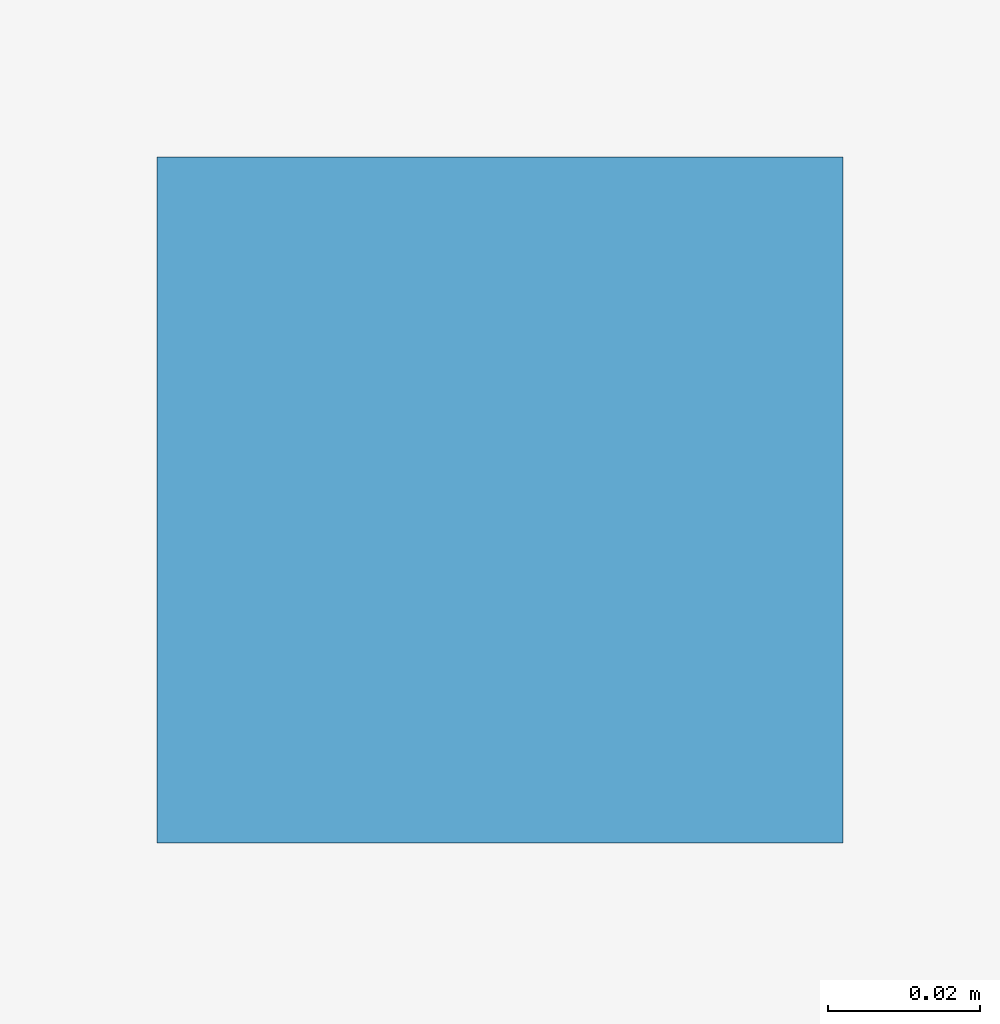
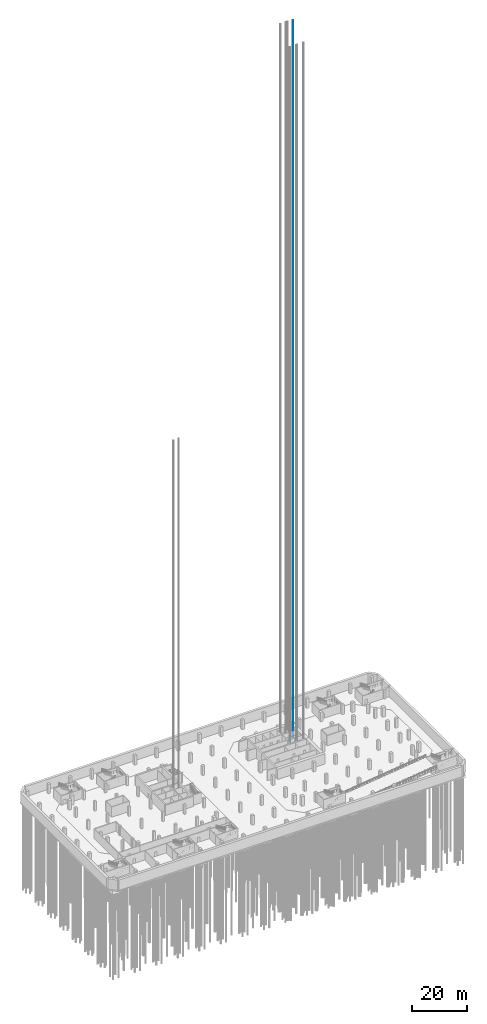
# One storey, part 15 of 30: 1 member.
"""IFC4 building model written with IfcOpenShell, lengths in metres."""

from ifc_helpers import new_model, si_unit, direction, frame, origin, origin_2d, place, context, subcontext, project, spatial, rectangle, extrude, material, material_profile, profile_set, type_object, element, save


model = new_model("IFC4")

# Units and contexts
model_context = context("Model", 3, precision=1e-05, world=origin(), true_north=direction((0.0, 1.0)))
body_context = subcontext(model_context, "Body", "Model", "MODEL_VIEW")
ifc_project = project(units=[si_unit("LENGTHUNIT", "METRE"), si_unit("AREAUNIT", "SQUARE_METRE"), si_unit("VOLUMEUNIT", "CUBIC_METRE"), si_unit("PLANEANGLEUNIT", "RADIAN"), si_unit("MASSUNIT", "GRAM", prefix="KILO")], contexts=[model_context])

# Site, building, storey
site_placement = place(None, origin())
site = spatial("IfcSite", under=ifc_project, at=site_placement, CompositionType="ELEMENT")
building_placement = place(site_placement, origin())
building = spatial("IfcBuilding", under=site, at=building_placement, Name="Cinnabar Reach Civic Tower", CompositionType="ELEMENT")
storey_placement = place(building_placement, frame((0.0, 0.0, -14.0)))
storey = spatial("IfcBuildingStorey", under=building, at=storey_placement, Name="B3", CompositionType="ELEMENT", Elevation=-14.0)

# Member
ifc_material = material(Name="Steel Q355B", Category="steel")
ifc_material_profile = material_profile(ifc_material, rectangle(XDim=0.09, YDim=0.09, at=origin_2d()), Name="T1 lift guide rail")
ifc_profile_set = profile_set([ifc_material_profile], Name="Steel Q355B")
member_type = type_object("IfcMemberType", Name="T1 lift guide rail", PredefinedType="USERDEFINED", material=ifc_profile_set)
member_placement = place(storey_placement, frame((22.13, 40.25, 0.0), z_axis=(0.0, 0.0, 1.0), x_axis=(1.0, 0.0, 0.0)))
element("IfcMember", 1, at=member_placement, inside=storey, type_object=member_type, Name="T1-FF2 guide rail 2", ObjectType="GUIDE RAIL", PredefinedType="USERDEFINED", context=body_context, shape_type="SweptSolid", body=[
    extrude(rectangle(XDim=0.09, YDim=0.09, at=origin_2d()), origin(), (0.0, 0.0, 1.0), 316.7),
])

save(model, "model.ifc")
